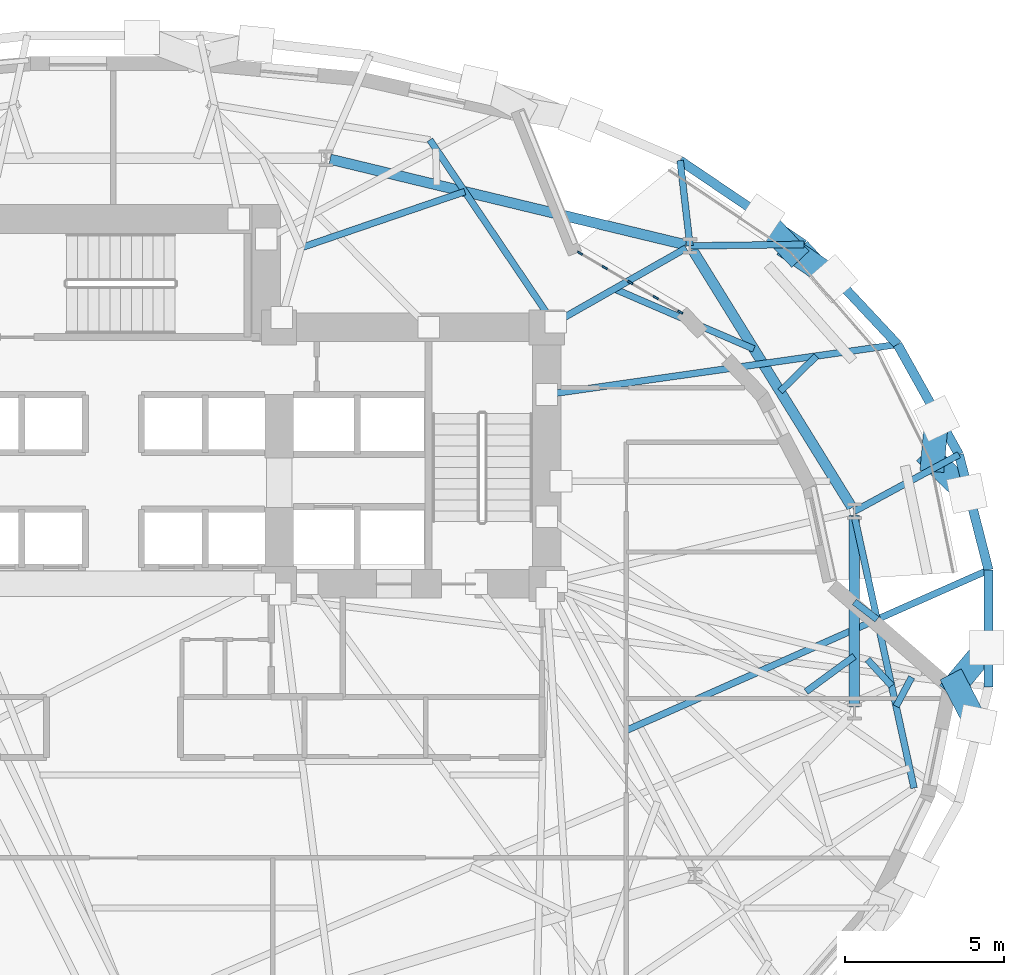
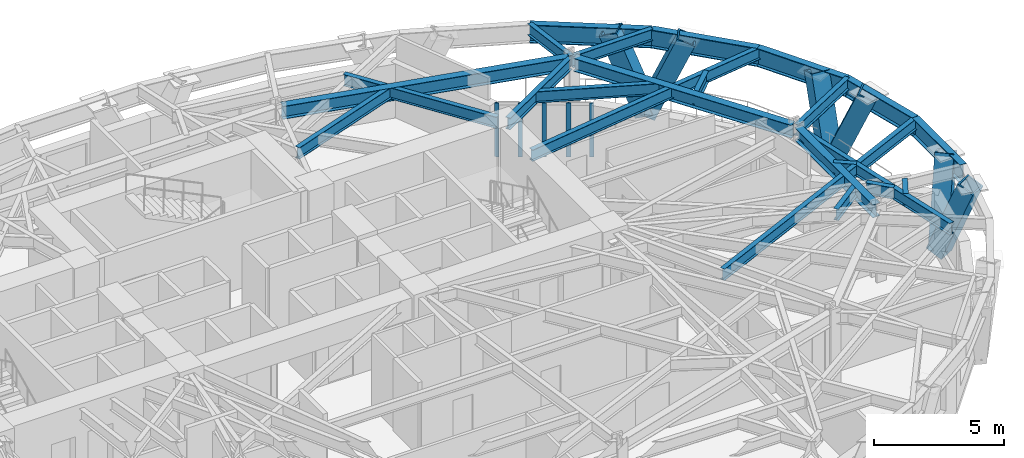
# One storey, part 4 of 15: 23 beams, 11 members, 1 element without a shape of its own.
"""IFC4 building model written with IfcOpenShell, lengths in metres."""

import ifcopenshell
import ifcopenshell.guid

model = None  # the IFC model being written
_history = None  # IfcOwnerHistory: only IFC2X3 demands one
_inside = {}  # id of a spatial element -> (the spatial element, [elements in it])
_under = {}  # id of a project, library or spatial element -> (it, [spatial elements below it])
_declared = {}  # id of a project -> (the project, [libraries it declares])
_typed = {}  # id of a type object -> (the type object, [elements of that type])
_made_of = {}  # id of a material, layer set ... -> (it, [elements and type objects made of it])


def new_model(schema):
    """Start an empty IFC model of exactly this schema.

    Asked for "IFC4X3", IfcOpenShell would pick the latest addendum, in which some entities
    have other attributes; the version numbers below select the first issue.
    IFC2X3 requires an IfcOwnerHistory on every rooted entity: one is made here for all.
    """
    global model, _history
    if schema == "IFC4X3":
        model = ifcopenshell.file(schema_version=(4, 3, 0, 0))
    else:
        model = ifcopenshell.file(schema=schema)
    _inside.clear()
    _under.clear()
    _declared.clear()
    _typed.clear()
    _made_of.clear()
    _history = None
    if model.schema == "IFC2X3":
        org = make("IfcOrganization", Name="unknown")
        user = make(
            "IfcPersonAndOrganization",
            ThePerson=make("IfcPerson", FamilyName="unknown"),
            TheOrganization=org,
        )
        app = make(
            "IfcApplication",
            ApplicationDeveloper=org,
            Version="unknown",
            ApplicationFullName="unknown",
            ApplicationIdentifier="unknown",
        )
        _history = make(
            "IfcOwnerHistory",
            OwningUser=user,
            OwningApplication=app,
            ChangeAction="ADDED",
            CreationDate=0,
        )
    return model


def make(cls, **values):
    """One entity of the class cls with the attributes given. An attribute that is None is left unset."""
    return model.create_entity(
        cls, **{name: value for name, value in values.items() if value is not None}
    )


def rooted(cls, **values):
    """An entity with a GlobalId (a new one), such as an element, a storey or a relation."""
    return make(cls, GlobalId=ifcopenshell.guid.new(), OwnerHistory=_history, **values)


def si_unit(unit_type, name, prefix=None):
    """IfcSIUnit, for example si_unit("LENGTHUNIT", "METRE", prefix="MILLI")."""
    return make("IfcSIUnit", UnitType=unit_type, Prefix=prefix, Name=name)


def assignment(units):
    """IfcUnitAssignment: the units of a project."""
    return None if units is None else make("IfcUnitAssignment", Units=units)


def point(xyz):
    """IfcCartesianPoint."""
    return None if xyz is None else make("IfcCartesianPoint", Coordinates=xyz)


def direction(xyz):
    """IfcDirection."""
    return None if xyz is None else make("IfcDirection", DirectionRatios=xyz)


def frame(location, z_axis=None, x_axis=None):
    """IfcAxis2Placement3D, a coordinate frame: its origin and axes. An axis left out is left unset."""
    return make(
        "IfcAxis2Placement3D",
        Location=point(location),
        Axis=direction(z_axis),
        RefDirection=direction(x_axis),
    )


def frame_2d(location, x_axis=None):
    """IfcAxis2Placement2D, a coordinate frame in the plane: its origin and x axis."""
    return make(
        "IfcAxis2Placement2D", Location=point(location), RefDirection=direction(x_axis)
    )


def origin():
    """The frame at (0, 0, 0) with its axes left unset."""
    return frame((0.0, 0.0, 0.0))


def origin_2d():
    """The frame at (0, 0) in the plane with its x axis left unset."""
    return frame_2d((0.0, 0.0))


def place(relative_to, where):
    """IfcLocalPlacement: puts the frame where relative to a parent placement (None: the world)."""
    return make(
        "IfcLocalPlacement", PlacementRelTo=relative_to, RelativePlacement=where
    )


def context(
    kind, dimensions, precision=None, world=None, true_north=None, identifier=None
):
    """IfcGeometricRepresentationContext, for example the 3D "Model" context."""
    return make(
        "IfcGeometricRepresentationContext",
        ContextIdentifier=identifier,
        ContextType=kind,
        CoordinateSpaceDimension=dimensions,
        Precision=precision,
        WorldCoordinateSystem=world,
        TrueNorth=true_north,
    )


def subcontext(parent, identifier, kind, view, scale=None):
    """IfcGeometricRepresentationSubContext, for example "Body" below "Model"."""
    return make(
        "IfcGeometricRepresentationSubContext",
        ContextIdentifier=identifier,
        ContextType=kind,
        ParentContext=parent,
        TargetScale=scale,
        TargetView=view,
    )


def project(units=None, contexts=None):
    """IfcProject with its units and contexts."""
    return rooted(
        "IfcProject",
        Name="project",
        RepresentationContexts=contexts,
        UnitsInContext=assignment(units),
    )


def spatial(cls, under=None, at=None, **own):
    """A site, building, storey or space (cls), placed at a placement, below another one or the project."""
    s = rooted(cls, ObjectPlacement=at, **own)
    if under is not None:
        _under.setdefault(under.id(), (under, []))[1].append(s)
    return s


def profile(cls, at=None, kind="AREA", **sizes):
    """A parametric profile (cls). Its sizes go by their IFC names, for example OverallWidth=200.0."""
    return make(cls, ProfileType=kind, Position=at, **sizes)


def rectangle(**sizes):
    """IfcRectangleProfileDef."""
    return profile("IfcRectangleProfileDef", **sizes)


def hollow_rectangle(**sizes):
    """IfcRectangleHollowProfileDef."""
    return profile("IfcRectangleHollowProfileDef", **sizes)


def i_section(**sizes):
    """IfcIShapeProfileDef."""
    return profile("IfcIShapeProfileDef", **sizes)


def extrude(swept, where, along, depth):
    """IfcExtrudedAreaSolid: the profile swept, set in the frame where, extruded along a direction by depth."""
    return make(
        "IfcExtrudedAreaSolid",
        SweptArea=swept,
        Position=where,
        ExtrudedDirection=direction(along),
        Depth=depth,
    )


def shape(context_of_items, identifier, shape_type, items):
    """IfcShapeRepresentation: the items that make up one representation, for example the "Body"."""
    return make(
        "IfcShapeRepresentation",
        ContextOfItems=context_of_items,
        RepresentationIdentifier=identifier,
        RepresentationType=shape_type,
        Items=items,
    )


def material(Name=None, Category=None):
    """IfcMaterial."""
    return make("IfcMaterial", Name=Name, Category=Category)


def layer(
    of_material, thickness, ventilated=None, Name=None, Category=None, Priority=None
):
    """IfcMaterialLayer: one layer of a wall or slab, of a material (None: an air gap)."""
    return make(
        "IfcMaterialLayer",
        Material=of_material,
        LayerThickness=thickness,
        IsVentilated=ventilated,
        Name=Name,
        Category=Category,
        Priority=Priority,
    )


def layer_set(layers, Name=None):
    """IfcMaterialLayerSet."""
    return make("IfcMaterialLayerSet", MaterialLayers=layers, LayerSetName=Name)


def material_profile(
    of_material, cross_section, Name=None, Category=None, Priority=None
):
    """IfcMaterialProfile: a cross section and its material."""
    return make(
        "IfcMaterialProfile",
        Name=Name,
        Material=of_material,
        Profile=cross_section,
        Priority=Priority,
        Category=Category,
    )


def profile_set(profiles, Name=None, composite=None):
    """IfcMaterialProfileSet."""
    return make(
        "IfcMaterialProfileSet",
        Name=Name,
        MaterialProfiles=profiles,
        CompositeProfile=composite,
    )


def made_of(thing, what):
    """Note that an element or type object is made of a material, layer set ...; save() writes the relation."""
    if what is not None:
        _made_of.setdefault(what.id(), (what, []))[1].append(thing)
    return thing


def type_object(cls, material=None, **own):
    """A type object (cls), such as IfcWallType, which elements share."""
    return made_of(rooted(cls, **own), material)


def element(
    cls,
    number,
    at=None,
    inside=None,
    cuts=None,
    type_object=None,
    material=None,
    context=None,
    identifier="Body",
    shape_type=None,
    held_by="IfcProductDefinitionShape",
    body=None,
    shapes=None,
    **own,
):
    """One element of the class cls, such as IfcWall. Its Tag is "e" and its number.

    at: its placement. inside: the storey or other place that contains it. cuts: it is an
    opening in that element (IfcRelVoidsElement). A single representation is given by context,
    identifier, shape_type and body (its items); several are given by shapes. held_by: the class
    of the entity that holds the representations. save() writes the other relations.
    """
    e = rooted(cls, Tag="e%d" % number, ObjectPlacement=at, **own)
    if body is not None:
        shapes = [shape(context, identifier, shape_type, body)]
    if shapes is not None:
        e.Representation = make(held_by, Representations=shapes)
    if inside is not None:
        _inside.setdefault(inside.id(), (inside, []))[1].append(e)
    if cuts is not None:
        rooted(
            "IfcRelVoidsElement", RelatingBuildingElement=cuts, RelatedOpeningElement=e
        )
    if type_object is not None:
        _typed.setdefault(type_object.id(), (type_object, []))[1].append(e)
    return made_of(e, material)


def aggregate(whole, parts):
    """IfcRelAggregates: a whole, such as a stair, and the parts it consists of."""
    return rooted("IfcRelAggregates", RelatingObject=whole, RelatedObjects=parts)


def save(model, path):
    """Write the relations noted so far, then the file.

    IfcRelAggregates (storeys below a building ...), IfcRelContainedInSpatialStructure (elements
    in a storey), IfcRelDefinesByType, IfcRelAssociatesMaterial and IfcRelDeclares: one each for
    every whole, place, type object, material and project.
    """
    for whole, parts in _under.values():
        aggregate(whole, parts)
    for where, things in _inside.values():
        rooted(
            "IfcRelContainedInSpatialStructure",
            RelatedElements=things,
            RelatingStructure=where,
        )
    for kind, things in _typed.values():
        rooted("IfcRelDefinesByType", RelatedObjects=things, RelatingType=kind)
    for what, things in _made_of.values():
        rooted("IfcRelAssociatesMaterial", RelatedObjects=things, RelatingMaterial=what)
    for by, libraries in _declared.values():
        rooted("IfcRelDeclares", RelatingContext=by, RelatedDefinitions=libraries)
    model.write(path)


model = new_model("IFC4")

# Units and contexts
model_context = context("Model", 3, precision=1e-05, world=origin(), true_north=direction((0.0, 1.0)))
body_context = subcontext(model_context, "Body", "Model", "MODEL_VIEW")
ifc_project = project(units=[si_unit("LENGTHUNIT", "METRE"), si_unit("AREAUNIT", "SQUARE_METRE"), si_unit("VOLUMEUNIT", "CUBIC_METRE"), si_unit("PLANEANGLEUNIT", "RADIAN"), si_unit("MASSUNIT", "GRAM", prefix="KILO")], contexts=[model_context])

# Site, building, storey
site_placement = place(None, origin())
site = spatial("IfcSite", under=ifc_project, at=site_placement, CompositionType="ELEMENT")
building_placement = place(site_placement, origin())
building = spatial("IfcBuilding", under=site, at=building_placement, Name="Keldmark Tower", CompositionType="ELEMENT")
storey_placement = place(building_placement, frame((0.0, 0.0, 37.800048828125)))
storey = spatial("IfcBuildingStorey", under=building, at=storey_placement, Name="L09", CompositionType="ELEMENT", Elevation=37.800048828125)

# Curtain wall, members
ifc_material_1 = material(Name="Unitized Thermally Broken Aluminum and Triple Low-E Glazing", Category="aluminium")
ifc_layer = layer(ifc_material_1, 0.219970703125)
ifc_layer_set = layer_set([ifc_layer], Name="Unitized Thermally Broken Aluminum and Triple Low-E Glazing")
curtain_wall_type = type_object("IfcCurtainWallType", Name="Spiralling Sky-Garden Feature Curtain Wall System", PredefinedType="NOTDEFINED", material=ifc_layer_set)
curtain_wall_placement = place(storey_placement, origin())
curtain_wall = element("IfcCurtainWall", 1, at=curtain_wall_placement, inside=storey, type_object=curtain_wall_type, Name="L09 Spiralling Sky-Garden Feature Curtain Wall System CW-L09-04", PredefinedType="NOTDEFINED")
ifc_material_2 = material(Name="Extruded Aluminum Alloy 6063-T6", Category="aluminium")
ifc_material_profile_1 = material_profile(ifc_material_2, rectangle(XDim=0.06005859375, YDim=0.179931640625, at=origin_2d()), Name="CWM60X180")
ifc_profile_set_1 = profile_set([ifc_material_profile_1], Name="Extruded Aluminum Alloy 6063-T6")
member_type_1 = type_object("IfcMemberType", Name="Curtain Wall Structural Mullion 60x180", PredefinedType="MULLION", material=ifc_profile_set_1)
member_1_placement = place(storey_placement, frame((14.642822265625, 11.781005859375, 0.0), z_axis=(0.0, 0.0, 1.0), x_axis=(0.506777585707, 0.862076840325, 0.0)))
member_1 = element("IfcMember", 2, at=member_1_placement, type_object=member_type_1, Name="CW mullion 1", PredefinedType="MULLION", context=body_context, shape_type="SweptSolid", body=[
    extrude(rectangle(XDim=0.06005859375, YDim=0.179931640625, at=origin_2d()), origin(), (0.0, 0.0, 1.0), 2.529052734375),
])
member_2_placement = place(storey_placement, frame((15.4169921875, 11.32568359375, 0.0), z_axis=(0.0, 0.0, 1.0), x_axis=(0.506777585707, 0.862076840325, 0.0)))
member_2 = element("IfcMember", 3, at=member_2_placement, type_object=member_type_1, Name="CW mullion 2", PredefinedType="MULLION", context=body_context, shape_type="SweptSolid", body=[
    extrude(rectangle(XDim=0.06005859375, YDim=0.179931640625, at=origin_2d()), origin(), (0.0, 0.0, 1.0), 2.529052734375),
])
member_3_placement = place(storey_placement, frame((16.217041015625, 10.85546875, 0.0), z_axis=(0.0, 0.0, 1.0), x_axis=(0.506777585707, 0.862076840325, 0.0)))
member_3 = element("IfcMember", 4, at=member_3_placement, type_object=member_type_1, Name="CW mullion 3", PredefinedType="MULLION", context=body_context, shape_type="SweptSolid", body=[
    extrude(rectangle(XDim=0.06005859375, YDim=0.179931640625, at=origin_2d()), origin(), (0.0, 0.0, 1.0), 2.529052734375),
])
member_4_placement = place(storey_placement, frame((17.01708984375, 10.38525390625, 0.0), z_axis=(0.0, 0.0, 1.0), x_axis=(0.506777585707, 0.862076840325, 0.0)))
member_4 = element("IfcMember", 5, at=member_4_placement, type_object=member_type_1, Name="CW mullion 4", PredefinedType="MULLION", context=body_context, shape_type="SweptSolid", body=[
    extrude(rectangle(XDim=0.06005859375, YDim=0.179931640625, at=origin_2d()), origin(), (0.0, 0.0, 1.0), 2.529052734375),
])
member_5_placement = place(storey_placement, frame((17.791015625, 9.93017578125, 0.0), z_axis=(0.0, 0.0, 1.0), x_axis=(0.506777585707, 0.862076840325, 0.0)))
member_5 = element("IfcMember", 6, at=member_5_placement, type_object=member_type_1, Name="CW mullion 5", PredefinedType="MULLION", context=body_context, shape_type="SweptSolid", body=[
    extrude(rectangle(XDim=0.06005859375, YDim=0.179931640625, at=origin_2d()), origin(), (0.0, 0.0, 1.0), 2.529052734375),
])
aggregate(curtain_wall, [member_1, member_2, member_3, member_4, member_5])

# Members
ifc_material_3 = material(Name="Steel ASTM A572 Grade 50", Category="steel")
ifc_material_profile_2 = material_profile(ifc_material_3, hollow_rectangle(XDim=0.75, YDim=0.75, WallThickness=0.06494140625, at=origin_2d()), Name="BOX750X750X65")
ifc_profile_set_2 = profile_set([ifc_material_profile_2], Name="Steel ASTM A572 Grade 50")
member_type_2 = type_object("IfcMemberType", Name="Diagrid Lower Brace BOX750X750X65", PredefinedType="BRACE", material=ifc_profile_set_2)
member_6_placement = place(storey_placement, frame((25.716064453125, 5.290283203125, -0.280029296875), z_axis=(0.277451695982, -0.271447616001, 0.921594676723), x_axis=(0.699330329006, 0.714798636633, 0.0)))
element("IfcMember", 7, at=member_6_placement, inside=storey, type_object=member_type_2, Name="L09 Perimeter Diagrid Brace 01A", PredefinedType="BRACE", context=body_context, shape_type="SweptSolid", body=[
    extrude(hollow_rectangle(XDim=0.75, YDim=0.75, WallThickness=0.06494140625, at=origin_2d()), origin(), (0.0, 0.0, 1.0), 3.863037109375),
])
member_7_placement = place(storey_placement, frame((25.71826171875, 5.27880859375, -0.280029296875), z_axis=(0.031452214686, 0.345459805886, 0.937906328323), x_axis=(-0.995881038918, 0.090669489486, 0.0)))
element("IfcMember", 8, at=member_7_placement, inside=storey, type_object=member_type_2, Name="L09 Perimeter Diagrid Brace 01B", PredefinedType="BRACE", context=body_context, shape_type="SweptSolid", body=[
    extrude(hollow_rectangle(XDim=0.75, YDim=0.75, WallThickness=0.06494140625, at=origin_2d()), origin(), (0.0, 0.0, 1.0), 3.795654296875),
])
member_8_placement = place(storey_placement, frame((21.317626953125, 11.8515625, -0.280029296875), z_axis=(0.329831680959, -0.225085287425, 0.916813871852), x_axis=(0.563678774046, 0.825994091801, 0.0)))
element("IfcMember", 9, at=member_8_placement, inside=storey, type_object=member_type_2, Name="L09 Perimeter Diagrid Brace 02A", PredefinedType="BRACE", context=body_context, shape_type="SweptSolid", body=[
    extrude(hollow_rectangle(XDim=0.75, YDim=0.75, WallThickness=0.06494140625, at=origin_2d()), origin(), (0.0, 0.0, 1.0), 3.883056640625),
])
member_9_placement = place(storey_placement, frame((21.32421875, 11.841796875, -0.280029296875), z_axis=(-0.258538863784, 0.273343374785, 0.926520941681), x_axis=(-0.726507151953, -0.687158903137, 0.0)))
element("IfcMember", 10, at=member_9_placement, inside=storey, type_object=member_type_2, Name="L09 Perimeter Diagrid Brace 02B", PredefinedType="BRACE", context=body_context, shape_type="SweptSolid", body=[
    extrude(hollow_rectangle(XDim=0.75, YDim=0.75, WallThickness=0.06494140625, at=origin_2d()), origin(), (0.0, 0.0, 1.0), 3.84228515625),
])
member_10_placement = place(storey_placement, frame((26.43798828125, -1.750244140625, -0.280029296875), z_axis=(0.172317654583, -0.331595398058, 0.927551140318), x_axis=(0.887339394484, 0.461116903828, 0.0)))
element("IfcMember", 11, at=member_10_placement, inside=storey, type_object=member_type_2, Name="L09 Perimeter Diagrid Brace 16A", PredefinedType="BRACE", context=body_context, shape_type="SweptSolid", body=[
    extrude(hollow_rectangle(XDim=0.75, YDim=0.75, WallThickness=0.06494140625, at=origin_2d()), origin(), (0.0, 0.0, 1.0), 3.838134765625),
])
member_11_placement = place(storey_placement, frame((26.435546875, -1.76171875, -0.280029296875), z_axis=(0.251016932133, 0.299124301923, 0.920605861258), x_axis=(-0.766016901718, 0.642820430822, 0.0)))
element("IfcMember", 12, at=member_11_placement, inside=storey, type_object=member_type_2, Name="L09 Perimeter Diagrid Brace 16B", PredefinedType="BRACE", context=body_context, shape_type="SweptSolid", body=[
    extrude(hollow_rectangle(XDim=0.75, YDim=0.75, WallThickness=0.06494140625, at=origin_2d()), origin(), (0.0, 0.0, 1.0), 3.8671875),
])

# Beams
ifc_material_4 = material(Name="Steel ASTM A992 Grade 50", Category="steel")
ifc_material_profile_3 = material_profile(ifc_material_4, i_section(OverallWidth=0.323974609375, OverallDepth=0.611083984375, WebThickness=0.0126953125, FlangeThickness=0.01904296875, at=origin_2d()), Name="W24X104")
ifc_profile_set_3 = profile_set([ifc_material_profile_3], Name="Steel ASTM A992 Grade 50")
beam_type_1 = type_object("IfcBeamType", Name="Primary Floor Girder W24X104", PredefinedType="BEAM", material=ifc_profile_set_3)
beam_1_placement = place(storey_placement, frame((23.180419921875, 3.796142578125, 3.094482421875), z_axis=(-0.526318405849, 0.850287560573, 0.0), x_axis=(-0.850287560573, -0.526318405849, 0.0)))
element("IfcBeam", 13, at=beam_1_placement, inside=storey, type_object=beam_type_1, Name="L09 Floor Ring Girder FG-R01", PredefinedType="BEAM", context=body_context, shape_type="SweptSolid", body=[
    extrude(i_section(OverallWidth=0.323974609375, OverallDepth=0.611083984375, WebThickness=0.0126953125, FlangeThickness=0.01904296875, at=origin_2d()), origin(), (0.0, 0.0, 1.0), 9.51708984375),
])
beam_2_placement = place(storey_placement, frame((17.961669921875, 12.040283203125, 3.094482421875), z_axis=(-0.972218707757, 0.2340743136, 0.0), x_axis=(-0.2340743136, -0.972218707757, 0.0)))
element("IfcBeam", 14, at=beam_2_placement, inside=storey, type_object=beam_type_1, Name="L09 Floor Ring Girder FG-R02", PredefinedType="BEAM", context=body_context, shape_type="SweptSolid", body=[
    extrude(i_section(OverallWidth=0.323974609375, OverallDepth=0.611083984375, WebThickness=0.0126953125, FlangeThickness=0.01904296875, at=origin_2d()), origin(), (0.0, 0.0, 1.0), 11.479248046875),
])
beam_3_placement = place(storey_placement, frame((23.25390625, -2.47314453125, 3.094482421875), z_axis=(0.0, 1.0, 0.0), x_axis=(-1.0, 0.0, 0.0)))
element("IfcBeam", 15, at=beam_3_placement, inside=storey, type_object=beam_type_1, Name="L09 Floor Ring Girder FG-R12", PredefinedType="BEAM", context=body_context, shape_type="SweptSolid", body=[
    extrude(i_section(OverallWidth=0.323974609375, OverallDepth=0.611083984375, WebThickness=0.0126953125, FlangeThickness=0.01904296875, at=origin_2d()), origin(), (0.0, 0.0, 1.0), 6.01025390625),
])
ifc_material_5 = material(Name="Steel ASTM A992 Grade 50", Category="steel")
ifc_material_profile_4 = material_profile(ifc_material_5, i_section(OverallWidth=0.2099609375, OverallDepth=0.537109375, WebThickness=0.010986328125, FlangeThickness=0.017333984375, at=origin_2d()), Name="W21X68")
ifc_profile_set_4 = profile_set([ifc_material_profile_4], Name="Steel ASTM A992 Grade 50")
beam_type_2 = type_object("IfcBeamType", Name="Radial Tie Girder W21X68", PredefinedType="BEAM", material=ifc_profile_set_4)
beam_4_placement = place(storey_placement, frame((5.889404296875, 11.948486328125, 3.13134765625), z_axis=(0.94599832842, 0.324171501872, 0.0), x_axis=(-0.324171501872, 0.94599832842, 0.0)))
element("IfcBeam", 16, at=beam_4_placement, inside=storey, type_object=beam_type_2, Name="L09 Framing Pin Header PH-001", PredefinedType="BEAM", context=body_context, shape_type="SweptSolid", body=[
    extrude(i_section(OverallWidth=0.2099609375, OverallDepth=0.537109375, WebThickness=0.010986328125, FlangeThickness=0.017333984375, at=origin_2d()), origin(), (0.0, 0.0, 1.0), 5.432373046875),
])
beam_5_placement = place(storey_placement, frame((13.60009765625, 9.89990234375, 3.13134765625), z_axis=(-0.559521471591, 0.828815855802, 0.0), x_axis=(-0.828815855802, -0.559521471591, 0.0)))
element("IfcBeam", 17, at=beam_5_placement, inside=storey, type_object=beam_type_2, Name="L09 Sub-Ring Step Girder STP1-M02", PredefinedType="BEAM", context=body_context, shape_type="SweptSolid", body=[
    extrude(i_section(OverallWidth=0.2099609375, OverallDepth=0.537109375, WebThickness=0.010986328125, FlangeThickness=0.017333984375, at=origin_2d()), origin(), (0.0, 0.0, 1.0), 6.5546875),
])
beam_6_placement = place(storey_placement, frame((21.740234375, -1.98388671875, 3.13134765625), z_axis=(0.806632426687, 0.591053405554, 0.0), x_axis=(-0.591053405554, 0.806632426687, 0.0)))
element("IfcBeam", 18, at=beam_6_placement, inside=storey, type_object=beam_type_2, Name="L09 Framing Pin Header PH-008", PredefinedType="BEAM", context=body_context, shape_type="SweptSolid", body=[
    extrude(i_section(OverallWidth=0.2099609375, OverallDepth=0.537109375, WebThickness=0.010986328125, FlangeThickness=0.017333984375, at=origin_2d()), origin(), (0.0, 0.0, 1.0), 1.87646484375),
])
beam_7_placement = place(storey_placement, frame((15.72216796875, 10.65673828125, 3.13134765625), z_axis=(0.918415191606, -0.395617916464, 0.0), x_axis=(0.395617916464, 0.918415191606, 0.0)))
element("IfcBeam", 19, at=beam_7_placement, inside=storey, type_object=beam_type_2, Name="L09 Framing Pin Header PH-009", PredefinedType="BEAM", context=body_context, shape_type="SweptSolid", body=[
    extrude(i_section(OverallWidth=0.2099609375, OverallDepth=0.537109375, WebThickness=0.010986328125, FlangeThickness=0.017333984375, at=origin_2d()), origin(), (0.0, 0.0, 1.0), 4.768310546875),
])
beam_8_placement = place(storey_placement, frame((23.66845703125, -0.977294921875, 3.13134765625), z_axis=(0.675774047362, -0.737108836544, 0.0), x_axis=(0.737108836544, 0.675774047362, 0.0)))
element("IfcBeam", 20, at=beam_8_placement, inside=storey, type_object=beam_type_2, Name="L09 Framing Pin Header PH-015", PredefinedType="BEAM", context=body_context, shape_type="SweptSolid", body=[
    extrude(i_section(OverallWidth=0.2099609375, OverallDepth=0.537109375, WebThickness=0.010986328125, FlangeThickness=0.017333984375, at=origin_2d()), origin(), (0.0, 0.0, 1.0), 1.118408203125),
])
beam_9_placement = place(storey_placement, frame((23.25390625, 3.537109375, 3.13134765625), z_axis=(0.214137140926, -0.976803606093, 0.0), x_axis=(0.976803606093, 0.214137140926, 0.0)))
element("IfcBeam", 21, at=beam_9_placement, inside=storey, type_object=beam_type_2, Name="L09 Sub-Ring Step Girder STP2-M12", PredefinedType="BEAM", context=body_context, shape_type="SweptSolid", body=[
    extrude(i_section(OverallWidth=0.2099609375, OverallDepth=0.537109375, WebThickness=0.010986328125, FlangeThickness=0.017333984375, at=origin_2d()), origin(), (0.0, 0.0, 1.0), 8.748046875),
])
beam_10_placement = place(storey_placement, frame((23.25390625, 0.83251953125, 3.13134765625), z_axis=(0.792613901629, -0.609723874344, 0.0), x_axis=(0.609723874344, 0.792613901629, 0.0)))
element("IfcBeam", 22, at=beam_10_placement, inside=storey, type_object=beam_type_2, Name="L09 Framing Pin Header PH-016", PredefinedType="BEAM", context=body_context, shape_type="SweptSolid", body=[
    extrude(i_section(OverallWidth=0.2099609375, OverallDepth=0.537109375, WebThickness=0.010986328125, FlangeThickness=0.017333984375, at=origin_2d()), origin(), (0.0, 0.0, 1.0), 0.899658203125),
])
beam_11_placement = place(storey_placement, frame((15.96728515625, -3.258056640625, 3.13134765625), z_axis=(0.914383067836, 0.404850102204, 0.0), x_axis=(-0.404850102204, 0.914383067836, 0.0)))
element("IfcBeam", 23, at=beam_11_placement, inside=storey, type_object=beam_type_2, Name="L09 Perimeter Radial Tie Girder RT-01", PredefinedType="BEAM", context=body_context, shape_type="SweptSolid", body=[
    extrude(i_section(OverallWidth=0.2099609375, OverallDepth=0.537109375, WebThickness=0.010986328125, FlangeThickness=0.017333984375, at=origin_2d()), origin(), (0.0, 0.0, 1.0), 12.5751953125),
])
beam_12_placement = place(storey_placement, frame((23.25390625, 3.67724609375, 3.13134765625), z_axis=(0.8794299536, 0.476028315031, 0.0), x_axis=(-0.476028315031, 0.8794299536, 0.0)))
element("IfcBeam", 24, at=beam_12_placement, inside=storey, type_object=beam_type_2, Name="L09 Perimeter Column Bracket RT-02", PredefinedType="BEAM", context=body_context, shape_type="SweptSolid", body=[
    extrude(i_section(OverallWidth=0.2099609375, OverallDepth=0.537109375, WebThickness=0.010986328125, FlangeThickness=0.017333984375, at=origin_2d()), origin(), (0.0, 0.0, 1.0), 3.734619140625),
])
beam_13_placement = place(storey_placement, frame((20.92626953125, 7.437744140625, 3.13134765625), z_axis=(0.714817341796, 0.699311209597, 0.0), x_axis=(-0.699311209597, 0.714817341796, 0.0)))
element("IfcBeam", 25, at=beam_13_placement, inside=storey, type_object=beam_type_2, Name="L09 Framing Pin Header PH-017", PredefinedType="BEAM", context=body_context, shape_type="SweptSolid", body=[
    extrude(i_section(OverallWidth=0.2099609375, OverallDepth=0.537109375, WebThickness=0.010986328125, FlangeThickness=0.017333984375, at=origin_2d()), origin(), (0.0, 0.0, 1.0), 1.59033203125),
])
beam_14_placement = place(storey_placement, frame((13.60009765625, 7.343017578125, 3.13134765625), z_axis=(0.989984592314, 0.141175447518, 0.0), x_axis=(-0.141175447518, 0.989984592314, 0.0)))
element("IfcBeam", 26, at=beam_14_placement, inside=storey, type_object=beam_type_2, Name="L09 Perimeter Radial Tie Girder RT-03", PredefinedType="BEAM", context=body_context, shape_type="SweptSolid", body=[
    extrude(i_section(OverallWidth=0.2099609375, OverallDepth=0.537109375, WebThickness=0.010986328125, FlangeThickness=0.017333984375, at=origin_2d()), origin(), (0.0, 0.0, 1.0), 11.11962890625),
])
beam_15_placement = place(storey_placement, frame((18.09765625, 12.00732421875, 3.13134765625), z_axis=(0.999921071329, 0.012563881257, 0.0), x_axis=(-0.012563881257, 0.999921071329, 0.0)))
element("IfcBeam", 27, at=beam_15_placement, inside=storey, type_object=beam_type_2, Name="L09 Perimeter Column Bracket RT-04", PredefinedType="BEAM", context=body_context, shape_type="SweptSolid", body=[
    extrude(i_section(OverallWidth=0.2099609375, OverallDepth=0.537109375, WebThickness=0.010986328125, FlangeThickness=0.017333984375, at=origin_2d()), origin(), (0.0, 0.0, 1.0), 3.575439453125),
])
beam_16_placement = place(storey_placement, frame((18.09765625, 12.00732421875, 3.13134765625), z_axis=(-0.115438533169, 0.993314625413, 0.0), x_axis=(-0.993314625413, -0.115438533169, 0.0)))
element("IfcBeam", 28, at=beam_16_placement, inside=storey, type_object=beam_type_2, Name="L09 Perimeter Column Bracket RT-05", PredefinedType="BEAM", context=body_context, shape_type="SweptSolid", body=[
    extrude(i_section(OverallWidth=0.2099609375, OverallDepth=0.537109375, WebThickness=0.010986328125, FlangeThickness=0.017333984375, at=origin_2d()), origin(), (0.0, 0.0, 1.0), 2.696533203125),
])
beam_17_placement = place(storey_placement, frame((24.565185546875, -2.4443359375, 3.13134765625), z_axis=(0.471298186467, 0.881973933534, 0.0), x_axis=(-0.881973933534, 0.471298186467, 0.0)))
element("IfcBeam", 29, at=beam_17_placement, inside=storey, type_object=beam_type_2, Name="L09 Framing Pin Header PH-043", PredefinedType="BEAM", context=body_context, shape_type="SweptSolid", body=[
    extrude(i_section(OverallWidth=0.2099609375, OverallDepth=0.537109375, WebThickness=0.010986328125, FlangeThickness=0.017333984375, at=origin_2d()), origin(), (0.0, 0.0, 1.0), 1.034912109375),
])
ifc_material_6 = material(Name="Steel ASTM A992 Grade 50", Category="steel")
ifc_material_profile_5 = material_profile(ifc_material_6, i_section(OverallWidth=0.214111328125, OverallDepth=0.549072265625, WebThickness=0.0146484375, FlangeThickness=0.023681640625, at=origin_2d()), Name="W21X93")
ifc_profile_set_5 = profile_set([ifc_material_profile_5], Name="Steel ASTM A992 Grade 50")
beam_type_3 = type_object("IfcBeamType", Name="Radial Tie Girder W21X93", PredefinedType="BEAM", material=ifc_profile_set_5)
beam_18_placement = place(storey_placement, frame((17.97607421875, 11.938232421875, 3.12548828125), z_axis=(-0.869299282131, -0.494286109542, 0.0), x_axis=(0.494286109542, -0.869299282131, 0.0)))
element("IfcBeam", 30, at=beam_18_placement, inside=storey, type_object=beam_type_3, Name="L09 Floor Radial Girder FG-C02", PredefinedType="BEAM", context=body_context, shape_type="SweptSolid", body=[
    extrude(i_section(OverallWidth=0.214111328125, OverallDepth=0.549072265625, WebThickness=0.0146484375, FlangeThickness=0.023681640625, at=origin_2d()), origin(), (0.0, 0.0, 1.0), 4.714111328125),
])
ifc_material_7 = material(Name="Steel ASTM A992 Grade 50", Category="steel")
ifc_material_profile_6 = material_profile(ifc_material_7, i_section(OverallWidth=0.2919921875, OverallDepth=0.85888671875, WebThickness=0.01708984375, FlangeThickness=0.031005859375, at=origin_2d()), Name="W33X169")
ifc_profile_set_6 = profile_set([ifc_material_profile_6], Name="Steel ASTM A992 Grade 50")
beam_type_4 = type_object("IfcBeamType", Name="Spandrel Ring Beam W33X169", PredefinedType="SPANDREL", material=ifc_profile_set_6)
beam_19_placement = place(storey_placement, frame((27.4658203125, 1.8330078125, 2.970458984375), z_axis=(-0.248062710061, 0.968743976434, 0.0), x_axis=(-0.968743976434, -0.248062710061, 0.0)))
element("IfcBeam", 31, at=beam_19_placement, inside=storey, type_object=beam_type_4, Name="L09 Perimeter Spandrel Ring Beam SRB-01", PredefinedType="SPANDREL", context=body_context, shape_type="SweptSolid", body=[
    extrude(i_section(OverallWidth=0.2919921875, OverallDepth=0.85888671875, WebThickness=0.01708984375, FlangeThickness=0.031005859375, at=origin_2d()), origin(), (0.0, 0.0, 1.0), 3.739013671875),
])
beam_20_placement = place(storey_placement, frame((26.538330078125, 5.455078125, 2.970458984375), z_axis=(-0.487369438963, 0.873195871477, 0.0), x_axis=(-0.873195871477, -0.487369438963, 0.0)))
element("IfcBeam", 32, at=beam_20_placement, inside=storey, type_object=beam_type_4, Name="L09 Perimeter Spandrel Ring Beam SRB-02", PredefinedType="SPANDREL", context=body_context, shape_type="SweptSolid", body=[
    extrude(i_section(OverallWidth=0.2919921875, OverallDepth=0.85888671875, WebThickness=0.01708984375, FlangeThickness=0.031005859375, at=origin_2d()), origin(), (0.0, 0.0, 1.0), 3.9599609375),
])
beam_21_placement = place(storey_placement, frame((24.6083984375, 8.912841796875, 2.970458984375), z_axis=(-0.68299392258, 0.730424056093, 0.0), x_axis=(-0.730424056093, -0.68299392258, 0.0)))
element("IfcBeam", 33, at=beam_21_placement, inside=storey, type_object=beam_type_4, Name="L09 Perimeter Spandrel Ring Beam SRB-03", PredefinedType="SPANDREL", context=body_context, shape_type="SweptSolid", body=[
    extrude(i_section(OverallWidth=0.2919921875, OverallDepth=0.85888671875, WebThickness=0.01708984375, FlangeThickness=0.031005859375, at=origin_2d()), origin(), (0.0, 0.0, 1.0), 4.298095703125),
])
beam_22_placement = place(storey_placement, frame((21.6728515625, 12.05224609375, 2.970458984375), z_axis=(-0.827842346852, 0.560960826402, 0.0), x_axis=(-0.560960826402, -0.827842346852, 0.0)))
element("IfcBeam", 34, at=beam_22_placement, inside=storey, type_object=beam_type_4, Name="L09 Perimeter Spandrel Ring Beam SRB-04", PredefinedType="SPANDREL", context=body_context, shape_type="SweptSolid", body=[
    extrude(i_section(OverallWidth=0.2919921875, OverallDepth=0.85888671875, WebThickness=0.01708984375, FlangeThickness=0.031005859375, at=origin_2d()), origin(), (0.0, 0.0, 1.0), 4.69482421875),
])
beam_23_placement = place(storey_placement, frame((27.4658203125, -1.8330078125, 2.970458984375), z_axis=(0.0, 1.0, 0.0), x_axis=(-1.0, 0.0, 0.0)))
element("IfcBeam", 35, at=beam_23_placement, inside=storey, type_object=beam_type_4, Name="L09 Perimeter Spandrel Ring Beam SRB-32", PredefinedType="SPANDREL", context=body_context, shape_type="SweptSolid", body=[
    extrude(i_section(OverallWidth=0.2919921875, OverallDepth=0.85888671875, WebThickness=0.01708984375, FlangeThickness=0.031005859375, at=origin_2d()), origin(), (0.0, 0.0, 1.0), 3.666015625),
])

save(model, "model.ifc")
